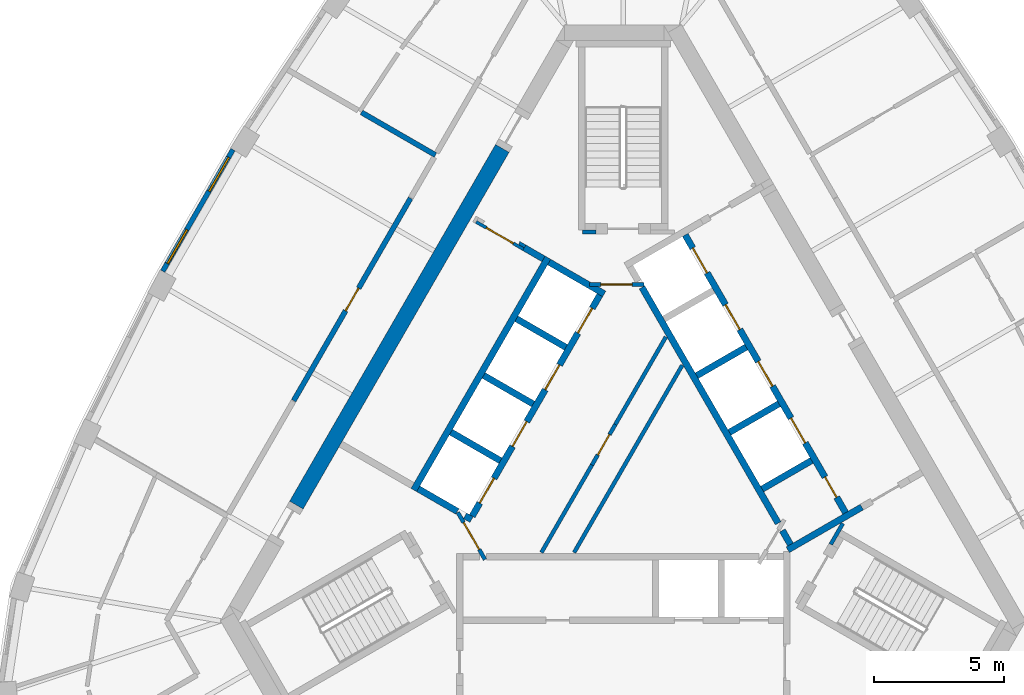
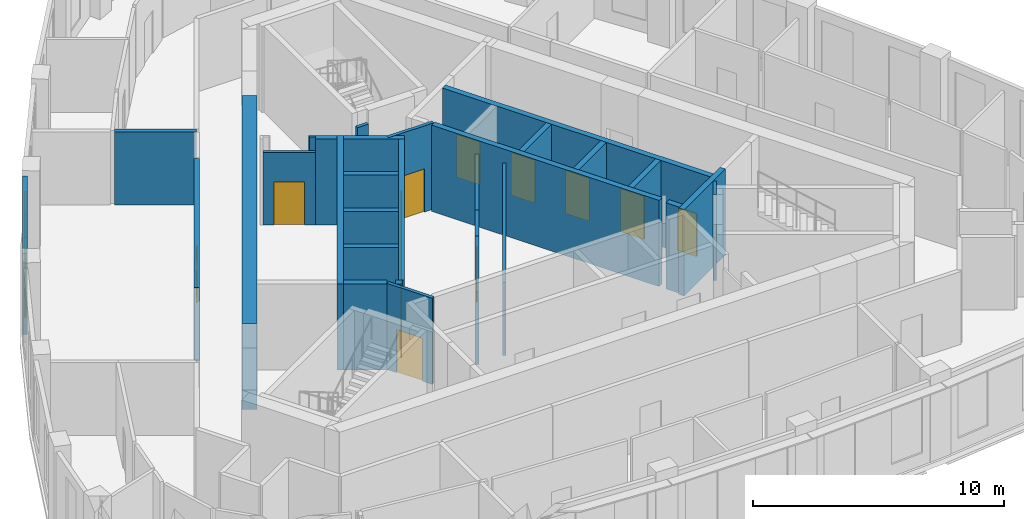
# One storey, part 5 of 10: 30 walls, 14 doors, 2 windows, 16 openings.
"""IFC4 building model written with IfcOpenShell, lengths in metres."""

from ifc_helpers import new_model, si_unit, direction, frame, frame_2d, origin, place, context, subcontext, project, spatial, polyline, rectangle, outline, extrude, material, layer, layer_set, type_object, element, fill, save


model = new_model("IFC4")

# Units and contexts
model_context = context("Model", 3, precision=1e-05, world=origin(), true_north=direction((0.0, 1.0)))
body_context = subcontext(model_context, "Body", "Model", "MODEL_VIEW")
ifc_project = project(units=[si_unit("LENGTHUNIT", "METRE"), si_unit("AREAUNIT", "SQUARE_METRE"), si_unit("VOLUMEUNIT", "CUBIC_METRE"), si_unit("PLANEANGLEUNIT", "RADIAN"), si_unit("MASSUNIT", "GRAM", prefix="KILO")], contexts=[model_context])

# Site, building, storey
site_placement = place(None, origin())
site = spatial("IfcSite", under=ifc_project, at=site_placement, CompositionType="ELEMENT")
building_placement = place(site_placement, origin())
building = spatial("IfcBuilding", under=site, at=building_placement, Name="Mestral Congress Tower", CompositionType="ELEMENT")
storey_placement = place(building_placement, frame((0.0, 0.0, 304.800048828125)))
storey = spatial("IfcBuildingStorey", under=building, at=storey_placement, Name="L71", CompositionType="ELEMENT", Elevation=304.800048828125)

# Walls
ifc_material_1 = material(Name="Fire-rated board partition")
ifc_layer_1 = layer(ifc_material_1, 0.14990234375)
ifc_layer_set_1 = layer_set([ifc_layer_1], Name="Fire-rated board partition")
wall_type_1 = type_object("IfcWallType", Name="Core partition 150", PredefinedType="PARTITIONING", material=ifc_layer_set_1)
wall_1_placement = place(storey_placement, frame((-1.56396484375, 8.62548828125, 0.0), z_axis=(0.0, 0.0, 1.0), x_axis=(1.0, 0.0, 0.0)))
element("IfcWall", 1, at=wall_1_placement, inside=storey, type_object=wall_type_1, Name="L71 core wall", PredefinedType="PARTITIONING", context=body_context, shape_type="SweptSolid", body=[
    extrude(rectangle(XDim=0.513916015625, YDim=0.14990234375, at=frame_2d((0.2568359375, 0.0))), origin(), (0.0, 0.0, 1.0), 3.550048828125),
])
wall_2_placement = place(storey_placement, frame((-1.886962890625, -3.71826171875, 0.0), z_axis=(0.0, 0.0, 1.0), x_axis=(0.500005008002, 0.866022512394, 0.0)))
element("IfcWall", 2, at=wall_2_placement, inside=storey, type_object=wall_type_1, Name="L71 core wall", PredefinedType="PARTITIONING", context=body_context, shape_type="SweptSolid", body=[
    extrude(rectangle(XDim=8.3271484375, YDim=0.14990234375, at=frame_2d((4.16357421875, 0.0))), origin(), (0.0, 0.0, 1.0), 3.550048828125),
])
wall_3_placement = place(storey_placement, frame((-3.146728515625, -3.71826171875, 0.0), z_axis=(0.0, 0.0, 1.0), x_axis=(0.500010131483, 0.866019554291, 0.0)))
element("IfcWall", 3, at=wall_3_placement, inside=storey, type_object=wall_type_1, Name="L71 core wall", PredefinedType="PARTITIONING", context=body_context, shape_type="SweptSolid", body=[
    extrude(rectangle(XDim=3.8935546875, YDim=0.14990234375, at=frame_2d((1.94677734375, 0.0))), origin(), (0.0, 0.0, 1.0), 3.550048828125),
])
wall_4_placement = place(storey_placement, frame((-0.2998046875, 1.21240234375, 0.0), z_axis=(0.0, 0.0, 1.0), x_axis=(0.499963101113, 0.866046706318, 0.0)))
element("IfcWall", 4, at=wall_4_placement, inside=storey, type_object=wall_type_1, Name="L71 core wall", PredefinedType="PARTITIONING", context=body_context, shape_type="SweptSolid", body=[
    extrude(rectangle(XDim=3.893310546875, YDim=0.14990234375, at=frame_2d((1.94677734375, 0.0))), origin(), (0.0, 0.0, 1.0), 3.550048828125),
])

# Wall, opening, door
wall_5_placement = place(storey_placement, frame((-1.199951171875, -0.346435546875, 0.0), z_axis=(0.0, 0.0, 1.0), x_axis=(0.499961193289, 0.866047807691, 0.0)))
wall_5 = element("IfcWall", 5, at=wall_5_placement, inside=storey, type_object=wall_type_1, Name="L71 door wall", PredefinedType="PARTITIONING", context=body_context, shape_type="SweptSolid", body=[
    extrude(rectangle(XDim=1.800048828125, YDim=0.14990234375, at=frame_2d((0.89990234375, 0.0))), origin(), (0.0, 0.0, 1.0), 3.550048828125),
])
opening_1_placement = place(wall_5_placement, frame((0.449951171875, 0.0, 0.0)))
opening_1 = element("IfcOpeningElement", 6, at=opening_1_placement, cuts=wall_5, Name="Opening SD-HUB1", PredefinedType="OPENING", context=body_context, shape_type="SweptSolid", body=[
    extrude(rectangle(XDim=0.89990234375, YDim=2.10009765625, at=frame_2d((0.449951171875, 1.050048828125))), frame((0.0, 0.0849609375, 0.0), z_axis=(0.0, -1.0, 0.0), x_axis=(1.0, 0.0, 0.0)), (0.0, 0.0, 1.0), 0.169921875),
])
ifc_material_2 = material(Name="Fire-rated steel door set", Category="steel")
door_type_1 = type_object("IfcDoorType", Name="Core door SR 900x2100", OperationType="SINGLE_SWING_LEFT", PredefinedType="DOOR", material=ifc_material_2)
door_1_placement = place(opening_1_placement, origin())
door_1 = element("IfcDoor", 7, at=door_1_placement, inside=storey, type_object=door_type_1, Name="Door SD-HUB1", OperationType="SINGLE_SWING_LEFT", OverallHeight=2.10009765625, OverallWidth=0.89990234375, PredefinedType="DOOR", context=body_context, shape_type="SweptSolid", body=[
    extrude(rectangle(XDim=0.89990234375, YDim=2.10009765625, at=frame_2d((0.449951171875, 1.050048828125))), frame((0.0, 0.02490234375, 0.0), z_axis=(0.0, -1.0, 0.0), x_axis=(1.0, 0.0, 0.0)), (0.0, 0.0, 1.0), 0.050048828125),
])
fill(opening_1, door_1)

ifc_layer_2 = layer(ifc_material_1, 0.1201171875)
ifc_layer_set_2 = layer_set([ifc_layer_2], Name="Fire-rated board partition")
wall_type_2 = type_object("IfcWallType", Name="Core partition 150 door-wall 120", PredefinedType="PARTITIONING", material=ifc_layer_set_2)
wall_6_placement = place(storey_placement, frame((-5.65869140625, 9.01171875, 0.0), z_axis=(0.0, 0.0, 1.0), x_axis=(0.866009402589, -0.500027713859, 0.0)))
wall_6 = element("IfcWall", 8, at=wall_6_placement, inside=storey, type_object=wall_type_2, Name="L71 door wall", PredefinedType="PARTITIONING", context=body_context, shape_type="SweptSolid", body=[
    extrude(rectangle(XDim=2.10009765625, YDim=0.1201171875, at=frame_2d((1.050048828125, 0.0))), origin(), (0.0, 0.0, 1.0), 3.550048828125),
])
opening_2_placement = place(wall_6_placement, frame((0.449951171875, 0.0, 0.0)))
opening_2 = element("IfcOpeningElement", 9, at=opening_2_placement, cuts=wall_6, Name="Opening LB2-WL2", PredefinedType="OPENING", context=body_context, shape_type="SweptSolid", body=[
    extrude(rectangle(XDim=1.199951171875, YDim=2.10009765625, at=frame_2d((0.60009765625, 1.050048828125))), frame((0.0, 0.070068359375, 0.0), z_axis=(0.0, -1.0, 0.0), x_axis=(1.0, 0.0, 0.0)), (0.0, 0.0, 1.0), 0.14013671875),
])
door_type_2 = type_object("IfcDoorType", Name="Core door LB 1200x2100", OperationType="SINGLE_SWING_LEFT", PredefinedType="DOOR", material=ifc_material_2)
door_2_placement = place(opening_2_placement, origin())
door_2 = element("IfcDoor", 10, at=door_2_placement, inside=storey, type_object=door_type_2, Name="Door LB2-WL2", OperationType="SINGLE_SWING_LEFT", OverallHeight=2.10009765625, OverallWidth=1.199951171875, PredefinedType="DOOR", context=body_context, shape_type="SweptSolid", body=[
    extrude(rectangle(XDim=1.199951171875, YDim=2.10009765625, at=frame_2d((0.60009765625, 1.050048828125))), frame((0.0, 0.02490234375, 0.0), z_axis=(0.0, -1.0, 0.0), x_axis=(1.0, 0.0, 0.0)), (0.0, 0.0, 1.0), 0.050048828125),
])
fill(opening_2, door_2)

# Wall
ifc_material_3 = material(Name="Concrete C60/75", Category="concrete")
ifc_layer_3 = layer(ifc_material_3, 0.60009765625)
ifc_layer_set_3 = layer_set([ifc_layer_3], Name="Concrete C60/75")
wall_type_3 = type_object("IfcWallType", Name="Core wall RC 600", PredefinedType="SOLIDWALL", material=ifc_layer_set_3)
wall_7_placement = place(storey_placement, frame((-12.58154296875, -1.891845703125, 0.0), z_axis=(0.0, 0.0, 1.0), x_axis=(0.500003640647, 0.866023301845, 0.0)))
element("IfcWall", 11, at=wall_7_placement, inside=storey, type_object=wall_type_3, Name="L71 core wall", PredefinedType="SOLIDWALL", context=body_context, shape_type="SweptSolid", body=[
    extrude(rectangle(XDim=15.8583984375, YDim=0.60009765625, at=frame_2d((7.92919921875, 0.0))), origin(), (0.0, 0.0, 1.0), 4.199951171875),
])

# Wall, openings, windows
ifc_material_4 = material(Name="Precast concrete C40/50 with limestone facing", Category="masonry")
ifc_layer_4 = layer(ifc_material_4, 0.18994140625)
ifc_layer_set_4 = layer_set([ifc_layer_4], Name="Precast concrete C40/50 with limestone facing")
wall_type_4 = type_object("IfcWallType", Name="Facade stone wall 190", PredefinedType="SOLIDWALL", material=ifc_layer_set_4)
wall_8_placement = place(storey_placement, frame((-15.025146484375, 11.7958984375, 0.0), z_axis=(0.0, 0.0, 1.0), x_axis=(-0.500024767483, -0.866011103799, 0.0)))
wall_8 = element("IfcWall", 12, at=wall_8_placement, inside=storey, type_object=wall_type_4, Name="Facade wall F2-02", PredefinedType="SOLIDWALL", context=body_context, shape_type="SweptSolid", body=[
    extrude(rectangle(XDim=5.406005859375, YDim=0.18994140625, at=frame_2d((2.703125, 0.0))), origin(), (0.0, 0.0, 1.0), 3.949951171875),
])
opening_3_placement = place(wall_8_placement, frame((0.346435546875, 0.0, 0.60009765625)))
opening_3 = element("IfcOpeningElement", 13, at=opening_3_placement, cuts=wall_8, Name="Opening W6", PredefinedType="OPENING", context=body_context, shape_type="SweptSolid", body=[
    extrude(rectangle(XDim=1.5, YDim=2.85009765625, at=frame_2d((0.75, 1.425048828125))), frame((0.0, 0.10498046875, 0.0), z_axis=(0.0, -1.0, 0.0), x_axis=(1.0, 0.0, 0.0)), (0.0, 0.0, 1.0), 0.2099609375),
])
opening_4_placement = place(wall_8_placement, frame((3.559326171875, 0.0, 0.60009765625)))
opening_4 = element("IfcOpeningElement", 14, at=opening_4_placement, cuts=wall_8, Name="Opening W6", PredefinedType="OPENING", context=body_context, shape_type="SweptSolid", body=[
    extrude(rectangle(XDim=1.5, YDim=2.85009765625, at=frame_2d((0.75, 1.425048828125))), frame((0.0, 0.10498046875, 0.0), z_axis=(0.0, -1.0, 0.0), x_axis=(1.0, 0.0, 0.0)), (0.0, 0.0, 1.0), 0.2099609375),
])
ifc_material_5 = material(Name="Clear low-emissivity double glazing", Category="glass")
window_type = type_object("IfcWindowType", Name="Facade punched window 1500 x 2850 sill 600", PartitioningType="SINGLE_PANEL", PredefinedType="WINDOW", material=ifc_material_5)
window_1_placement = place(opening_3_placement, origin())
window_1 = element("IfcWindow", 15, at=window_1_placement, inside=storey, type_object=window_type, Name="Window F2-02a", OverallHeight=2.85009765625, OverallWidth=1.5, PartitioningType="SINGLE_PANEL", PredefinedType="WINDOW", context=body_context, shape_type="SweptSolid", body=[
    extrude(rectangle(XDim=1.5, YDim=2.85009765625, at=frame_2d((0.75, 1.425048828125))), frame((0.0, 0.044921875, 0.0), z_axis=(0.0, -1.0, 0.0), x_axis=(1.0, 0.0, 0.0)), (0.0, 0.0, 1.0), 0.06005859375),
])
fill(opening_3, window_1)
window_2_placement = place(opening_4_placement, origin())
window_2 = element("IfcWindow", 16, at=window_2_placement, inside=storey, type_object=window_type, Name="Window F2-02b", OverallHeight=2.85009765625, OverallWidth=1.5, PartitioningType="SINGLE_PANEL", PredefinedType="WINDOW", context=body_context, shape_type="SweptSolid", body=[
    extrude(rectangle(XDim=1.5, YDim=2.85009765625, at=frame_2d((0.75, 1.425048828125))), frame((0.0, 0.044921875, 0.0), z_axis=(0.0, -1.0, 0.0), x_axis=(1.0, 0.0, 0.0)), (0.0, 0.0, 1.0), 0.06005859375),
])
fill(opening_4, window_2)

# Wall
ifc_material_6 = material(Name="Dense masonry wall, plastered", Category="masonry")
ifc_layer_5 = layer(ifc_material_6, 0.199951171875)
ifc_layer_set_5 = layer_set([ifc_layer_5], Name="Dense masonry wall, plastered")
wall_type_5 = type_object("IfcWallType", Name="Office tenancy wall 200", PredefinedType="PARTITIONING", material=ifc_layer_set_5)
wall_9_placement = place(storey_placement, frame((-7.2255859375, 11.585205078125, 0.0), z_axis=(0.0, 0.0, 1.0), x_axis=(-0.866034923029, 0.499983511822, 0.0)))
element("IfcWall", 17, at=wall_9_placement, inside=storey, type_object=wall_type_5, Name="Tenancy wall", PredefinedType="PARTITIONING", context=body_context, shape_type="SweptSolid", body=[
    extrude(rectangle(XDim=3.2919921875, YDim=0.199951171875, at=frame_2d((1.64599609375, 0.0))), origin(), (0.0, 0.0, 1.0), 3.550048828125),
])

# Wall, opening, door
wall_10_placement = place(storey_placement, frame((-8.185546875, 9.922119140625, 0.0), z_axis=(0.0, 0.0, 1.0), x_axis=(-0.5000018851, -0.866024315419, 0.0)))
wall_10 = element("IfcWall", 18, at=wall_10_placement, inside=storey, type_object=wall_type_5, Name="Tenancy wall", PredefinedType="PARTITIONING", context=body_context, shape_type="SweptSolid", body=[
    extrude(rectangle(XDim=9.0, YDim=0.199951171875, at=frame_2d((4.5, 0.0))), origin(), (0.0, 0.0, 1.0), 3.550048828125),
])
opening_5_placement = place(wall_10_placement, frame((4.0, 0.0, 0.0)))
opening_5 = element("IfcOpeningElement", 19, at=opening_5_placement, cuts=wall_10, Name="Opening O14-014", PredefinedType="OPENING", context=body_context, shape_type="SweptSolid", body=[
    extrude(rectangle(XDim=1.0, YDim=2.10009765625, at=frame_2d((0.5, 1.050048828125))), frame((0.0, 0.10986328125, 0.0), z_axis=(0.0, -1.0, 0.0), x_axis=(1.0, 0.0, 0.0)), (0.0, 0.0, 1.0), 0.219970703125),
])
ifc_material_7 = material(Name="Fire-rated timber door set", Category="wood")
door_type_3 = type_object("IfcDoorType", Name="Office tenancy entrance door 1000x2100", OperationType="SINGLE_SWING_LEFT", PredefinedType="DOOR", material=ifc_material_7)
door_3_placement = place(opening_5_placement, origin())
door_3 = element("IfcDoor", 20, at=door_3_placement, inside=storey, type_object=door_type_3, Name="Door O14-014", OperationType="SINGLE_SWING_LEFT", OverallHeight=2.10009765625, OverallWidth=1.0, PredefinedType="DOOR", context=body_context, shape_type="SweptSolid", body=[
    extrude(rectangle(XDim=1.0, YDim=2.10009765625, at=frame_2d((0.5, 1.050048828125))), frame((0.0, 0.02490234375, 0.0), z_axis=(0.0, -1.0, 0.0), x_axis=(1.0, 0.0, 0.0)), (0.0, 0.0, 1.0), 0.050048828125),
])
fill(opening_5, door_3)

# Walls
ifc_layer_6 = layer(ifc_material_3, 0.25)
ifc_layer_set_6 = layer_set([ifc_layer_6], Name="Concrete C60/75")
wall_type_6 = type_object("IfcWallType", Name="Shaft wall RC 250", PredefinedType="SOLIDWALL", material=ifc_layer_set_6)
wall_11_placement = place(storey_placement, frame((9.190185546875, -1.96875, 0.0), z_axis=(0.0, 0.0, 1.0), x_axis=(-0.866057109641, -0.499945079824, 0.0)))
element("IfcWall", 21, at=wall_11_placement, inside=storey, type_object=wall_type_6, Name="L71 core wall", PredefinedType="SOLIDWALL", context=body_context, shape_type="SweptSolid", body=[
    extrude(rectangle(XDim=3.290771484375, YDim=0.25, at=frame_2d((1.6455078125, 0.0))), origin(), (0.0, 0.0, 1.0), 4.199951171875),
])
wall_12_placement = place(storey_placement, frame((6.1298828125, -2.867431640625, 0.0), z_axis=(0.0, 0.0, 1.0), x_axis=(0.500160776593, -0.865932559475, 0.0)))
element("IfcWall", 22, at=wall_12_placement, inside=storey, type_object=wall_type_6, Name="L71 core wall", PredefinedType="SOLIDWALL", context=body_context, shape_type="SweptSolid", body=[
    extrude(rectangle(XDim=0.626708984375, YDim=0.25, at=frame_2d((0.3134765625, 0.0))), origin(), (0.0, 0.0, 1.0), 4.199951171875),
])
wall_13_placement = place(storey_placement, frame((5.970458984375, -2.591064453125, 0.0), z_axis=(0.0, 0.0, 1.0), x_axis=(-0.499994469932, 0.866028596547, 0.0)))
element("IfcWall", 23, at=wall_13_placement, inside=storey, type_object=wall_type_6, Name="L71 core wall", PredefinedType="SOLIDWALL", context=body_context, shape_type="SweptSolid", body=[
    extrude(rectangle(XDim=10.48828125, YDim=0.25, at=frame_2d((5.244140625, 0.0))), origin(), (0.0, 0.0, 1.0), 4.199951171875),
])
for number, where, z_axis, x_axis, name in (
    (24, (2.833984375, 3.091064453125, 0.0), (0.0, 0.0, 1.0), (0.866008176907, 0.50002983664, 0.0), "L71 core wall"),
    (25, (4.093994140625, 0.90869140625, 0.0), (0.0, 0.0, 1.0), (0.866008176907, 0.50002983664, 0.0), "L71 core wall"),
    (26, (5.35400390625, -1.273681640625, 0.0), (0.0, 0.0, 1.0), (0.866008176907, 0.50002983664, 0.0), "L71 core wall"),
):
    element("IfcWall", number, at=place(storey_placement, frame(where, z_axis=z_axis, x_axis=x_axis)), inside=storey, type_object=wall_type_6, Name=name, PredefinedType="SOLIDWALL", context=body_context, shape_type="SweptSolid", body=[
        extrude(rectangle(XDim=2.199951171875, YDim=0.25, at=frame_2d((1.10009765625, 0.0))), origin(), (0.0, 0.0, 1.0), 4.199951171875),
    ])
wall_14_placement = place(storey_placement, frame((-8.06005859375, -1.310546875, 0.0), z_axis=(0.0, 0.0, 1.0), x_axis=(0.50000273126, 0.866023826885, 0.0)))
element("IfcWall", 27, at=wall_14_placement, inside=storey, type_object=wall_type_6, Name="L71 core wall", PredefinedType="SOLIDWALL", context=body_context, shape_type="SweptSolid", body=[
    extrude(rectangle(XDim=10.330078125, YDim=0.25, at=frame_2d((5.1650390625, 0.0))), origin(), (0.0, 0.0, 1.0), 4.199951171875),
])
placement = place(storey_placement, origin())
element("IfcWall", 28, at=placement, inside=storey, type_object=wall_type_6, Name="L71 core wall", PredefinedType="SOLIDWALL", context=body_context, shape_type="SweptSolid", body=[
    extrude(outline(polyline([(-2.911865234375, 7.3564453125), (-2.786865234375, 7.572998046875), (-1.231689453125, 6.675048828125), (-1.303466796875, 6.675048828125), (-1.3037109375, 6.675048828125), (-1.3037109375, 6.675048828125), (-1.3037109375, 6.52490234375), (-1.3037109375, 6.52490234375), (-1.303466796875, 6.52490234375), (-0.971435546875, 6.52490234375), (-0.6650390625, 6.347900390625), (-0.7900390625, 6.131591796875), (-1.006591796875, 6.256591796875), (-1.006591796875, 6.256591796875), (-2.911865234375, 7.3564453125)])), origin(), (0.0, 0.0, 1.0), 4.199951171875),
])
for number, where, z_axis, x_axis, name in (
    (29, (-2.2041015625, 4.182373046875, 0.0), (0.0, 0.0, 1.0), (-0.866008176907, 0.50002983664, 0.0), "L71 core wall"),
    (30, (-5.369384765625, 3.10009765625, 0.0), (0.0, 0.0, 1.0), (0.866008176907, -0.50002983664, 0.0), "L71 core wall"),
    (31, (-4.72412109375, -0.182373046875, 0.0), (0.0, 0.0, 1.0), (-0.866008176907, 0.50002983664, 0.0), "L71 core wall"),
):
    element("IfcWall", number, at=place(storey_placement, frame(where, z_axis=z_axis, x_axis=x_axis)), inside=storey, type_object=wall_type_6, Name=name, PredefinedType="SOLIDWALL", context=body_context, shape_type="SweptSolid", body=[
        extrude(rectangle(XDim=2.199951171875, YDim=0.25, at=frame_2d((1.10009765625, 0.0))), origin(), (0.0, 0.0, 1.0), 4.199951171875),
    ])
wall_16_placement = place(storey_placement, frame((-6.088134765625, -2.3046875, 0.0), z_axis=(0.0, 0.0, 1.0), x_axis=(0.866059450854, -0.499941024108, 0.0)))
element("IfcWall", 32, at=wall_16_placement, inside=storey, type_object=wall_type_6, Name="L71 core wall", PredefinedType="SOLIDWALL", context=body_context, shape_type="SweptSolid", body=[
    extrude(rectangle(XDim=0.2900390625, YDim=0.25, at=frame_2d((0.14501953125, 0.0))), origin(), (0.0, 0.0, 1.0), 4.199951171875),
])
wall_17_placement = place(storey_placement, frame((-7.889404296875, -1.2646484375, 0.0), z_axis=(0.0, 0.0, 1.0), x_axis=(0.865986741702, -0.500066958712, 0.0)))
element("IfcWall", 33, at=wall_17_placement, inside=storey, type_object=wall_type_6, Name="L71 core wall", PredefinedType="SOLIDWALL", context=body_context, shape_type="SweptSolid", body=[
    extrude(rectangle(XDim=1.738037109375, YDim=0.25, at=frame_2d((0.869140625, 0.0))), origin(), (0.0, 0.0, 1.0), 4.199951171875),
])
wall_18_placement = place(storey_placement, frame((-3.06591796875, 7.58984375, 0.0), z_axis=(0.0, 0.0, 1.0), x_axis=(-0.866081358704, 0.49990307071, 0.0)))
element("IfcWall", 34, at=wall_18_placement, inside=storey, type_object=wall_type_6, Name="L71 core wall", PredefinedType="SOLIDWALL", context=body_context, shape_type="SweptSolid", body=[
    extrude(rectangle(XDim=0.858154296875, YDim=0.25, at=frame_2d((0.42919921875, 0.0))), origin(), (0.0, 0.0, 1.0), 4.199951171875),
])
element("IfcWall", 35, at=placement, inside=storey, type_object=wall_type_6, Name="L71 core wall", PredefinedType="SOLIDWALL", context=body_context, shape_type="SweptSolid", body=[
    extrude(outline(polyline([(-3.748291015625, 8.1279296875), (-3.813232421875, 8.015380859375), (-4.026611328125, 8.138671875), (-4.0166015625, 8.156005859375), (-4.007568359375, 8.17333984375), (-4.000244140625, 8.191650390625), (-3.994873046875, 8.21044921875), (-3.991455078125, 8.229736328125), (-3.98974609375, 8.24951171875), (-3.989990234375, 8.267578125), (-3.748291015625, 8.1279296875)])), origin(), (0.0, 0.0, 1.0), 4.199951171875),
])

# Wall, openings, doors
wall_20_placement = place(storey_placement, frame((8.565185546875, -2.185302734375, 0.0), z_axis=(0.0, 0.0, 1.0), x_axis=(-0.499997954832, 0.866026584559, 0.0)))
wall_20 = element("IfcWall", 36, at=wall_20_placement, inside=storey, type_object=wall_type_6, Name="L71 door wall", PredefinedType="SOLIDWALL", context=body_context, shape_type="SweptSolid", body=[
    extrude(rectangle(XDim=12.35009765625, YDim=0.25, at=frame_2d((6.175048828125, 0.0))), origin(), (0.0, 0.0, 1.0), 4.199951171875),
])
opening_6_placement = place(wall_20_placement, frame((0.68505859375, 0.0, 0.0)))
opening_6 = element("IfcOpeningElement", 37, at=opening_6_placement, cuts=wall_20, Name="Opening SR-NEB1", PredefinedType="OPENING", context=body_context, shape_type="SweptSolid", body=[
    extrude(rectangle(XDim=0.89990234375, YDim=2.10009765625, at=frame_2d((0.449951171875, 1.050048828125))), frame((0.0, 0.135009765625, 0.0), z_axis=(0.0, -1.0, 0.0), x_axis=(1.0, 0.0, 0.0)), (0.0, 0.0, 1.0), 0.27001953125),
])
opening_7_placement = place(wall_20_placement, frame((3.10498046875, 0.0, 0.0)))
opening_7 = element("IfcOpeningElement", 38, at=opening_7_placement, cuts=wall_20, Name="Opening LD-NEB2", PredefinedType="OPENING", context=body_context, shape_type="SweptSolid", body=[
    extrude(rectangle(XDim=1.10009765625, YDim=2.10009765625, at=frame_2d((0.550048828125, 1.050048828125))), frame((0.0, 0.135009765625, 0.0), z_axis=(0.0, -1.0, 0.0), x_axis=(1.0, 0.0, 0.0)), (0.0, 0.0, 1.0), 0.27001953125),
])
opening_8_placement = place(wall_20_placement, frame((5.625, 0.0, 0.0)))
opening_8 = element("IfcOpeningElement", 39, at=opening_8_placement, cuts=wall_20, Name="Opening LD-NEB3", PredefinedType="OPENING", context=body_context, shape_type="SweptSolid", body=[
    extrude(rectangle(XDim=1.10009765625, YDim=2.10009765625, at=frame_2d((0.550048828125, 1.050048828125))), frame((0.0, 0.135009765625, 0.0), z_axis=(0.0, -1.0, 0.0), x_axis=(1.0, 0.0, 0.0)), (0.0, 0.0, 1.0), 0.27001953125),
])
opening_9_placement = place(wall_20_placement, frame((8.14501953125, 0.0, 0.0)))
opening_9 = element("IfcOpeningElement", 40, at=opening_9_placement, cuts=wall_20, Name="Opening LD-NEB4", PredefinedType="OPENING", context=body_context, shape_type="SweptSolid", body=[
    extrude(rectangle(XDim=1.10009765625, YDim=2.10009765625, at=frame_2d((0.550048828125, 1.050048828125))), frame((0.0, 0.135009765625, 0.0), z_axis=(0.0, -1.0, 0.0), x_axis=(1.0, 0.0, 0.0)), (0.0, 0.0, 1.0), 0.27001953125),
])
opening_10_placement = place(wall_20_placement, frame((10.6650390625, 0.0, 0.0)))
opening_10 = element("IfcOpeningElement", 41, at=opening_10_placement, cuts=wall_20, Name="Opening LD-NEB5", PredefinedType="OPENING", context=body_context, shape_type="SweptSolid", body=[
    extrude(rectangle(XDim=1.10009765625, YDim=2.10009765625, at=frame_2d((0.550048828125, 1.050048828125))), frame((0.0, 0.135009765625, 0.0), z_axis=(0.0, -1.0, 0.0), x_axis=(1.0, 0.0, 0.0)), (0.0, 0.0, 1.0), 0.27001953125),
])
door_type_4 = type_object("IfcDoorType", Name="Core door LD 1100x2100", OperationType="DOUBLE_DOOR_SLIDING", PredefinedType="DOOR", material=ifc_material_2)
door_4_placement = place(opening_7_placement, origin())
door_4 = element("IfcDoor", 42, at=door_4_placement, inside=storey, type_object=door_type_4, Name="Door LD-NEB2", OperationType="DOUBLE_DOOR_SLIDING", OverallHeight=2.10009765625, OverallWidth=1.10009765625, PredefinedType="DOOR", context=body_context, shape_type="SweptSolid", body=[
    extrude(rectangle(XDim=1.10009765625, YDim=2.10009765625, at=frame_2d((0.550048828125, 1.050048828125))), frame((0.0, 0.02490234375, 0.0), z_axis=(0.0, -1.0, 0.0), x_axis=(1.0, 0.0, 0.0)), (0.0, 0.0, 1.0), 0.050048828125),
])
fill(opening_7, door_4)
door_5_placement = place(opening_8_placement, origin())
door_5 = element("IfcDoor", 43, at=door_5_placement, inside=storey, type_object=door_type_4, Name="Door LD-NEB3", OperationType="DOUBLE_DOOR_SLIDING", OverallHeight=2.10009765625, OverallWidth=1.10009765625, PredefinedType="DOOR", context=body_context, shape_type="SweptSolid", body=[
    extrude(rectangle(XDim=1.10009765625, YDim=2.10009765625, at=frame_2d((0.550048828125, 1.050048828125))), frame((0.0, 0.02490234375, 0.0), z_axis=(0.0, -1.0, 0.0), x_axis=(1.0, 0.0, 0.0)), (0.0, 0.0, 1.0), 0.050048828125),
])
fill(opening_8, door_5)
door_6_placement = place(opening_9_placement, origin())
door_6 = element("IfcDoor", 44, at=door_6_placement, inside=storey, type_object=door_type_4, Name="Door LD-NEB4", OperationType="DOUBLE_DOOR_SLIDING", OverallHeight=2.10009765625, OverallWidth=1.10009765625, PredefinedType="DOOR", context=body_context, shape_type="SweptSolid", body=[
    extrude(rectangle(XDim=1.10009765625, YDim=2.10009765625, at=frame_2d((0.550048828125, 1.050048828125))), frame((0.0, 0.02490234375, 0.0), z_axis=(0.0, -1.0, 0.0), x_axis=(1.0, 0.0, 0.0)), (0.0, 0.0, 1.0), 0.050048828125),
])
fill(opening_9, door_6)
door_7_placement = place(opening_10_placement, origin())
door_7 = element("IfcDoor", 45, at=door_7_placement, inside=storey, type_object=door_type_4, Name="Door LD-NEB5", OperationType="DOUBLE_DOOR_SLIDING", OverallHeight=2.10009765625, OverallWidth=1.10009765625, PredefinedType="DOOR", context=body_context, shape_type="SweptSolid", body=[
    extrude(rectangle(XDim=1.10009765625, YDim=2.10009765625, at=frame_2d((0.550048828125, 1.050048828125))), frame((0.0, 0.02490234375, 0.0), z_axis=(0.0, -1.0, 0.0), x_axis=(1.0, 0.0, 0.0)), (0.0, 0.0, 1.0), 0.050048828125),
])
fill(opening_10, door_7)
door_8_placement = place(opening_6_placement, origin())
door_8 = element("IfcDoor", 46, at=door_8_placement, inside=storey, type_object=door_type_1, Name="Door SR-NEB1", OperationType="SINGLE_SWING_LEFT", OverallHeight=2.10009765625, OverallWidth=0.89990234375, PredefinedType="DOOR", context=body_context, shape_type="SweptSolid", body=[
    extrude(rectangle(XDim=0.89990234375, YDim=2.10009765625, at=frame_2d((0.449951171875, 1.050048828125))), frame((0.0, 0.02490234375, 0.0), z_axis=(0.0, -1.0, 0.0), x_axis=(1.0, 0.0, 0.0)), (0.0, 0.0, 1.0), 0.050048828125),
])
fill(opening_6, door_8)

wall_21_placement = place(storey_placement, frame((-0.898193359375, 6.194091796875, 0.0), z_axis=(0.0, 0.0, 1.0), x_axis=(-0.499996202215, -0.866027596426, 0.0)))
wall_21 = element("IfcWall", 47, at=wall_21_placement, inside=storey, type_object=wall_type_6, Name="L71 door wall", PredefinedType="SOLIDWALL", context=body_context, shape_type="SweptSolid", body=[
    extrude(rectangle(XDim=9.830078125, YDim=0.25, at=frame_2d((4.9150390625, 0.0))), origin(), (0.0, 0.0, 1.0), 4.199951171875),
])
opening_11_placement = place(wall_21_placement, frame((0.5849609375, 0.0, 0.0)))
opening_11 = element("IfcOpeningElement", 48, at=opening_11_placement, cuts=wall_21, Name="Opening LD-NWB1", PredefinedType="OPENING", context=body_context, shape_type="SweptSolid", body=[
    extrude(rectangle(XDim=1.10009765625, YDim=2.10009765625, at=frame_2d((0.550048828125, 1.050048828125))), frame((0.0, 0.135009765625, 0.0), z_axis=(0.0, -1.0, 0.0), x_axis=(1.0, 0.0, 0.0)), (0.0, 0.0, 1.0), 0.27001953125),
])
opening_12_placement = place(wall_21_placement, frame((3.10498046875, 0.0, 0.0)))
opening_12 = element("IfcOpeningElement", 49, at=opening_12_placement, cuts=wall_21, Name="Opening LD-NWB2", PredefinedType="OPENING", context=body_context, shape_type="SweptSolid", body=[
    extrude(rectangle(XDim=1.10009765625, YDim=2.10009765625, at=frame_2d((0.550048828125, 1.050048828125))), frame((0.0, 0.135009765625, 0.0), z_axis=(0.0, -1.0, 0.0), x_axis=(1.0, 0.0, 0.0)), (0.0, 0.0, 1.0), 0.27001953125),
])
opening_13_placement = place(wall_21_placement, frame((5.625, 0.0, 0.0)))
opening_13 = element("IfcOpeningElement", 50, at=opening_13_placement, cuts=wall_21, Name="Opening LD-NWB3", PredefinedType="OPENING", context=body_context, shape_type="SweptSolid", body=[
    extrude(rectangle(XDim=1.10009765625, YDim=2.10009765625, at=frame_2d((0.550048828125, 1.050048828125))), frame((0.0, 0.135009765625, 0.0), z_axis=(0.0, -1.0, 0.0), x_axis=(1.0, 0.0, 0.0)), (0.0, 0.0, 1.0), 0.27001953125),
])
opening_14_placement = place(wall_21_placement, frame((8.14501953125, 0.0, 0.0)))
opening_14 = element("IfcOpeningElement", 51, at=opening_14_placement, cuts=wall_21, Name="Opening LD-NWB4", PredefinedType="OPENING", context=body_context, shape_type="SweptSolid", body=[
    extrude(rectangle(XDim=1.10009765625, YDim=2.10009765625, at=frame_2d((0.550048828125, 1.050048828125))), frame((0.0, 0.135009765625, 0.0), z_axis=(0.0, -1.0, 0.0), x_axis=(1.0, 0.0, 0.0)), (0.0, 0.0, 1.0), 0.27001953125),
])
door_9_placement = place(opening_11_placement, origin())
door_9 = element("IfcDoor", 52, at=door_9_placement, inside=storey, type_object=door_type_4, Name="Door LD-NWB1", OperationType="DOUBLE_DOOR_SLIDING", OverallHeight=2.10009765625, OverallWidth=1.10009765625, PredefinedType="DOOR", context=body_context, shape_type="SweptSolid", body=[
    extrude(rectangle(XDim=1.10009765625, YDim=2.10009765625, at=frame_2d((0.550048828125, 1.050048828125))), frame((0.0, 0.02490234375, 0.0), z_axis=(0.0, -1.0, 0.0), x_axis=(1.0, 0.0, 0.0)), (0.0, 0.0, 1.0), 0.050048828125),
])
fill(opening_11, door_9)
door_10_placement = place(opening_12_placement, origin())
door_10 = element("IfcDoor", 53, at=door_10_placement, inside=storey, type_object=door_type_4, Name="Door LD-NWB2", OperationType="DOUBLE_DOOR_SLIDING", OverallHeight=2.10009765625, OverallWidth=1.10009765625, PredefinedType="DOOR", context=body_context, shape_type="SweptSolid", body=[
    extrude(rectangle(XDim=1.10009765625, YDim=2.10009765625, at=frame_2d((0.550048828125, 1.050048828125))), frame((0.0, 0.02490234375, 0.0), z_axis=(0.0, -1.0, 0.0), x_axis=(1.0, 0.0, 0.0)), (0.0, 0.0, 1.0), 0.050048828125),
])
fill(opening_12, door_10)
door_11_placement = place(opening_13_placement, origin())
door_11 = element("IfcDoor", 54, at=door_11_placement, inside=storey, type_object=door_type_4, Name="Door LD-NWB3", OperationType="DOUBLE_DOOR_SLIDING", OverallHeight=2.10009765625, OverallWidth=1.10009765625, PredefinedType="DOOR", context=body_context, shape_type="SweptSolid", body=[
    extrude(rectangle(XDim=1.10009765625, YDim=2.10009765625, at=frame_2d((0.550048828125, 1.050048828125))), frame((0.0, 0.02490234375, 0.0), z_axis=(0.0, -1.0, 0.0), x_axis=(1.0, 0.0, 0.0)), (0.0, 0.0, 1.0), 0.050048828125),
])
fill(opening_13, door_11)
door_12_placement = place(opening_14_placement, origin())
door_12 = element("IfcDoor", 55, at=door_12_placement, inside=storey, type_object=door_type_4, Name="Door LD-NWB4", OperationType="DOUBLE_DOOR_SLIDING", OverallHeight=2.10009765625, OverallWidth=1.10009765625, PredefinedType="DOOR", context=body_context, shape_type="SweptSolid", body=[
    extrude(rectangle(XDim=1.10009765625, YDim=2.10009765625, at=frame_2d((0.550048828125, 1.050048828125))), frame((0.0, 0.02490234375, 0.0), z_axis=(0.0, -1.0, 0.0), x_axis=(1.0, 0.0, 0.0)), (0.0, 0.0, 1.0), 0.050048828125),
])
fill(opening_14, door_12)

# Wall
ifc_layer_7 = layer(ifc_material_3, 0.14990234375)
ifc_layer_set_7 = layer_set([ifc_layer_7], Name="Concrete C60/75")
wall_type_7 = type_object("IfcWallType", Name="Shaft wall RC 250 door-wall 150", PredefinedType="SOLIDWALL", material=ifc_layer_set_7)
wall_22_placement = place(storey_placement, frame((8.459228515625, -2.59912109375, 0.0), z_axis=(0.0, 0.0, 1.0), x_axis=(-0.500041054325, -0.866001699761, 0.0)))
element("IfcWall", 56, at=wall_22_placement, inside=storey, type_object=wall_type_7, Name="L71 core wall", PredefinedType="PARTITIONING", context=body_context, shape_type="SweptSolid", body=[
    extrude(rectangle(XDim=0.9287109375, YDim=0.14990234375, at=frame_2d((0.46435546875, 0.0))), origin(), (0.0, 0.0, 1.0), 4.199951171875),
])

# Wall, opening, door
wall_23_placement = place(storey_placement, frame((-1.303466796875, 6.60009765625, 0.0), z_axis=(0.0, 0.0, 1.0), x_axis=(1.0, 0.0, 0.0)))
wall_23 = element("IfcWall", 57, at=wall_23_placement, inside=storey, type_object=wall_type_7, Name="L71 door wall", PredefinedType="PARTITIONING", context=body_context, shape_type="SweptSolid", body=[
    extrude(rectangle(XDim=2.099853515625, YDim=0.14990234375, at=frame_2d((1.0498046875, 0.0))), origin(), (0.0, 0.0, 1.0), 4.199951171875),
])
opening_15_placement = place(wall_23_placement, frame((0.449951171875, 0.0, 0.0)))
opening_15 = element("IfcOpeningElement", 58, at=opening_15_placement, cuts=wall_23, Name="Opening CD2-FF", PredefinedType="OPENING", context=body_context, shape_type="SweptSolid", body=[
    extrude(rectangle(XDim=1.199951171875, YDim=2.10009765625, at=frame_2d((0.60009765625, 1.050048828125))), frame((0.0, 0.0849609375, 0.0), z_axis=(0.0, -1.0, 0.0), x_axis=(1.0, 0.0, 0.0)), (0.0, 0.0, 1.0), 0.169921875),
])
door_type_5 = type_object("IfcDoorType", Name="Core door CD 1200x2100", OperationType="SINGLE_SWING_LEFT", PredefinedType="DOOR", material=ifc_material_2)
door_13_placement = place(opening_15_placement, origin())
door_13 = element("IfcDoor", 59, at=door_13_placement, inside=storey, type_object=door_type_5, Name="Door CD2-FF", OperationType="SINGLE_SWING_LEFT", OverallHeight=2.10009765625, OverallWidth=1.199951171875, PredefinedType="DOOR", context=body_context, shape_type="SweptSolid", body=[
    extrude(rectangle(XDim=1.199951171875, YDim=2.10009765625, at=frame_2d((0.60009765625, 1.050048828125))), frame((0.0, 0.02490234375, 0.0), z_axis=(0.0, -1.0, 0.0), x_axis=(1.0, 0.0, 0.0)), (0.0, 0.0, 1.0), 0.050048828125),
])
fill(opening_15, door_13)

wall_24_placement = place(storey_placement, frame((-5.3173828125, -3.98974609375, 0.0), z_axis=(0.0, 0.0, 1.0), x_axis=(-0.500027713859, 0.866009402589, 0.0)))
wall_24 = element("IfcWall", 60, at=wall_24_placement, inside=storey, type_object=wall_type_7, Name="L71 door wall", PredefinedType="PARTITIONING", context=body_context, shape_type="SweptSolid", body=[
    extrude(rectangle(XDim=2.10009765625, YDim=0.14990234375, at=frame_2d((1.050048828125, 0.0))), origin(), (0.0, 0.0, 1.0), 4.199951171875),
])
opening_16_placement = place(wall_24_placement, frame((0.449951171875, 0.0, 0.0)))
opening_16 = element("IfcOpeningElement", 61, at=opening_16_placement, cuts=wall_24, Name="Opening CD3-FF", PredefinedType="OPENING", context=body_context, shape_type="SweptSolid", body=[
    extrude(rectangle(XDim=1.199951171875, YDim=2.10009765625, at=frame_2d((0.60009765625, 1.050048828125))), frame((0.0, 0.0849609375, 0.0), z_axis=(0.0, -1.0, 0.0), x_axis=(1.0, 0.0, 0.0)), (0.0, 0.0, 1.0), 0.169921875),
])
door_14_placement = place(opening_16_placement, origin())
door_14 = element("IfcDoor", 62, at=door_14_placement, inside=storey, type_object=door_type_5, Name="Door CD3-FF", OperationType="SINGLE_SWING_LEFT", OverallHeight=2.10009765625, OverallWidth=1.199951171875, PredefinedType="DOOR", context=body_context, shape_type="SweptSolid", body=[
    extrude(rectangle(XDim=1.199951171875, YDim=2.10009765625, at=frame_2d((0.60009765625, 1.050048828125))), frame((0.0, 0.02490234375, 0.0), z_axis=(0.0, -1.0, 0.0), x_axis=(1.0, 0.0, 0.0)), (0.0, 0.0, 1.0), 0.050048828125),
])
fill(opening_16, door_14)

save(model, "model.ifc")
